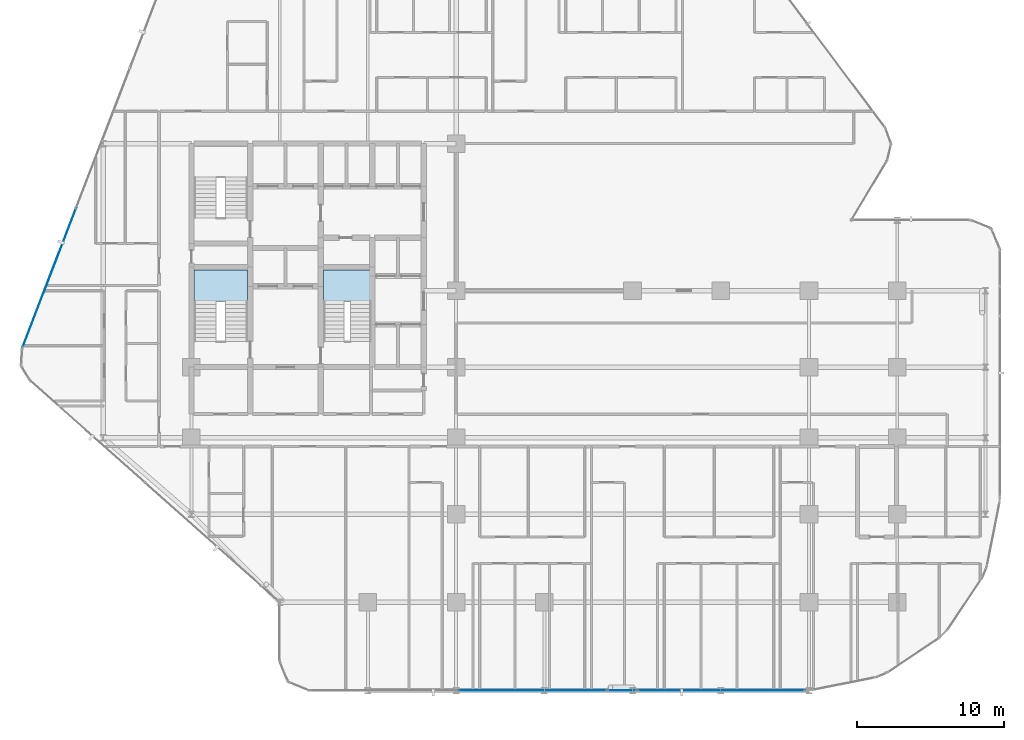
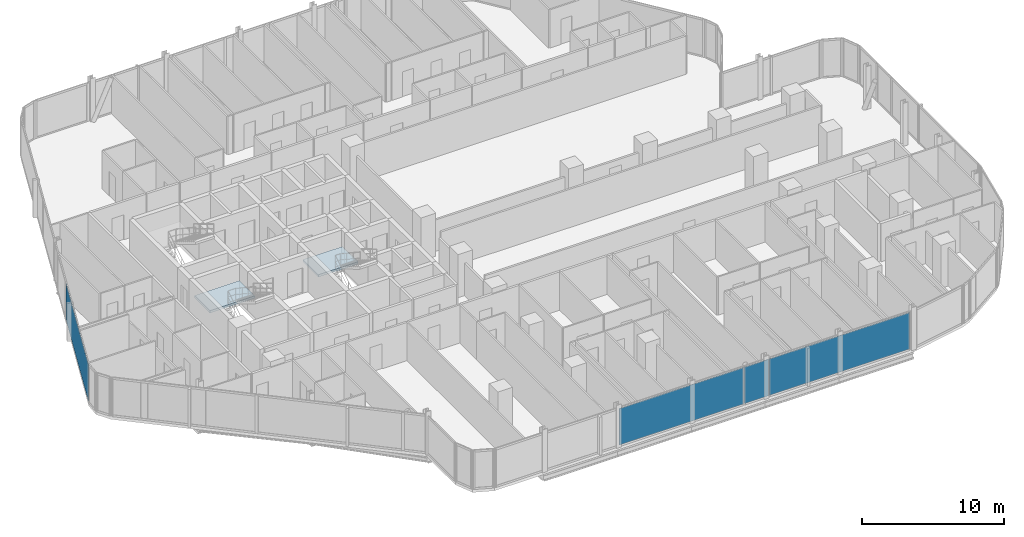
# One storey, part 21 of 34: 4 plates, 2 slabs, 6 elements without a shape of their own.
"""IFC4 building model written with IfcOpenShell, lengths in metres."""

import ifcopenshell
import ifcopenshell.guid

model = None  # the IFC model being written
_history = None  # IfcOwnerHistory: only IFC2X3 demands one
_inside = {}  # id of a spatial element -> (the spatial element, [elements in it])
_under = {}  # id of a project, library or spatial element -> (it, [spatial elements below it])
_declared = {}  # id of a project -> (the project, [libraries it declares])
_typed = {}  # id of a type object -> (the type object, [elements of that type])
_made_of = {}  # id of a material, layer set ... -> (it, [elements and type objects made of it])


def new_model(schema):
    """Start an empty IFC model of exactly this schema.

    Asked for "IFC4X3", IfcOpenShell would pick the latest addendum, in which some entities
    have other attributes; the version numbers below select the first issue.
    IFC2X3 requires an IfcOwnerHistory on every rooted entity: one is made here for all.
    """
    global model, _history
    if schema == "IFC4X3":
        model = ifcopenshell.file(schema_version=(4, 3, 0, 0))
    else:
        model = ifcopenshell.file(schema=schema)
    _inside.clear()
    _under.clear()
    _declared.clear()
    _typed.clear()
    _made_of.clear()
    _history = None
    if model.schema == "IFC2X3":
        org = make("IfcOrganization", Name="unknown")
        user = make(
            "IfcPersonAndOrganization",
            ThePerson=make("IfcPerson", FamilyName="unknown"),
            TheOrganization=org,
        )
        app = make(
            "IfcApplication",
            ApplicationDeveloper=org,
            Version="unknown",
            ApplicationFullName="unknown",
            ApplicationIdentifier="unknown",
        )
        _history = make(
            "IfcOwnerHistory",
            OwningUser=user,
            OwningApplication=app,
            ChangeAction="ADDED",
            CreationDate=0,
        )
    return model


def make(cls, **values):
    """One entity of the class cls with the attributes given. An attribute that is None is left unset."""
    return model.create_entity(
        cls, **{name: value for name, value in values.items() if value is not None}
    )


def rooted(cls, **values):
    """An entity with a GlobalId (a new one), such as an element, a storey or a relation."""
    return make(cls, GlobalId=ifcopenshell.guid.new(), OwnerHistory=_history, **values)


def si_unit(unit_type, name, prefix=None):
    """IfcSIUnit, for example si_unit("LENGTHUNIT", "METRE", prefix="MILLI")."""
    return make("IfcSIUnit", UnitType=unit_type, Prefix=prefix, Name=name)


def assignment(units):
    """IfcUnitAssignment: the units of a project."""
    return None if units is None else make("IfcUnitAssignment", Units=units)


def point(xyz):
    """IfcCartesianPoint."""
    return None if xyz is None else make("IfcCartesianPoint", Coordinates=xyz)


def direction(xyz):
    """IfcDirection."""
    return None if xyz is None else make("IfcDirection", DirectionRatios=xyz)


def frame(location, z_axis=None, x_axis=None):
    """IfcAxis2Placement3D, a coordinate frame: its origin and axes. An axis left out is left unset."""
    return make(
        "IfcAxis2Placement3D",
        Location=point(location),
        Axis=direction(z_axis),
        RefDirection=direction(x_axis),
    )


def frame_2d(location, x_axis=None):
    """IfcAxis2Placement2D, a coordinate frame in the plane: its origin and x axis."""
    return make(
        "IfcAxis2Placement2D", Location=point(location), RefDirection=direction(x_axis)
    )


def origin():
    """The frame at (0, 0, 0) with its axes left unset."""
    return frame((0.0, 0.0, 0.0))


def origin_2d():
    """The frame at (0, 0) in the plane with its x axis left unset."""
    return frame_2d((0.0, 0.0))


def place(relative_to, where):
    """IfcLocalPlacement: puts the frame where relative to a parent placement (None: the world)."""
    return make(
        "IfcLocalPlacement", PlacementRelTo=relative_to, RelativePlacement=where
    )


def context(
    kind, dimensions, precision=None, world=None, true_north=None, identifier=None
):
    """IfcGeometricRepresentationContext, for example the 3D "Model" context."""
    return make(
        "IfcGeometricRepresentationContext",
        ContextIdentifier=identifier,
        ContextType=kind,
        CoordinateSpaceDimension=dimensions,
        Precision=precision,
        WorldCoordinateSystem=world,
        TrueNorth=true_north,
    )


def subcontext(parent, identifier, kind, view, scale=None):
    """IfcGeometricRepresentationSubContext, for example "Body" below "Model"."""
    return make(
        "IfcGeometricRepresentationSubContext",
        ContextIdentifier=identifier,
        ContextType=kind,
        ParentContext=parent,
        TargetScale=scale,
        TargetView=view,
    )


def project(units=None, contexts=None):
    """IfcProject with its units and contexts."""
    return rooted(
        "IfcProject",
        Name="project",
        RepresentationContexts=contexts,
        UnitsInContext=assignment(units),
    )


def spatial(cls, under=None, at=None, **own):
    """A site, building, storey or space (cls), placed at a placement, below another one or the project."""
    s = rooted(cls, ObjectPlacement=at, **own)
    if under is not None:
        _under.setdefault(under.id(), (under, []))[1].append(s)
    return s


def polyline(points):
    """IfcPolyline through the points."""
    return make("IfcPolyline", Points=[point(p) for p in points])


def profile(cls, at=None, kind="AREA", **sizes):
    """A parametric profile (cls). Its sizes go by their IFC names, for example OverallWidth=200.0."""
    return make(cls, ProfileType=kind, Position=at, **sizes)


def rectangle(**sizes):
    """IfcRectangleProfileDef."""
    return profile("IfcRectangleProfileDef", **sizes)


def outline(outer, holes=None, kind="AREA"):
    """IfcArbitraryClosedProfileDef: a profile drawn as a closed curve; with holes, ...WithVoids."""
    if holes is None:
        return make("IfcArbitraryClosedProfileDef", ProfileType=kind, OuterCurve=outer)
    return make(
        "IfcArbitraryProfileDefWithVoids",
        ProfileType=kind,
        OuterCurve=outer,
        InnerCurves=holes,
    )


def extrude(swept, where, along, depth):
    """IfcExtrudedAreaSolid: the profile swept, set in the frame where, extruded along a direction by depth."""
    return make(
        "IfcExtrudedAreaSolid",
        SweptArea=swept,
        Position=where,
        ExtrudedDirection=direction(along),
        Depth=depth,
    )


def shape(context_of_items, identifier, shape_type, items):
    """IfcShapeRepresentation: the items that make up one representation, for example the "Body"."""
    return make(
        "IfcShapeRepresentation",
        ContextOfItems=context_of_items,
        RepresentationIdentifier=identifier,
        RepresentationType=shape_type,
        Items=items,
    )


def material(Name=None, Category=None):
    """IfcMaterial."""
    return make("IfcMaterial", Name=Name, Category=Category)


def layer(
    of_material, thickness, ventilated=None, Name=None, Category=None, Priority=None
):
    """IfcMaterialLayer: one layer of a wall or slab, of a material (None: an air gap)."""
    return make(
        "IfcMaterialLayer",
        Material=of_material,
        LayerThickness=thickness,
        IsVentilated=ventilated,
        Name=Name,
        Category=Category,
        Priority=Priority,
    )


def layer_set(layers, Name=None):
    """IfcMaterialLayerSet."""
    return make("IfcMaterialLayerSet", MaterialLayers=layers, LayerSetName=Name)


def made_of(thing, what):
    """Note that an element or type object is made of a material, layer set ...; save() writes the relation."""
    if what is not None:
        _made_of.setdefault(what.id(), (what, []))[1].append(thing)
    return thing


def type_object(cls, material=None, **own):
    """A type object (cls), such as IfcWallType, which elements share."""
    return made_of(rooted(cls, **own), material)


def element(
    cls,
    number,
    at=None,
    inside=None,
    cuts=None,
    type_object=None,
    material=None,
    context=None,
    identifier="Body",
    shape_type=None,
    held_by="IfcProductDefinitionShape",
    body=None,
    shapes=None,
    **own,
):
    """One element of the class cls, such as IfcWall. Its Tag is "e" and its number.

    at: its placement. inside: the storey or other place that contains it. cuts: it is an
    opening in that element (IfcRelVoidsElement). A single representation is given by context,
    identifier, shape_type and body (its items); several are given by shapes. held_by: the class
    of the entity that holds the representations. save() writes the other relations.
    """
    e = rooted(cls, Tag="e%d" % number, ObjectPlacement=at, **own)
    if body is not None:
        shapes = [shape(context, identifier, shape_type, body)]
    if shapes is not None:
        e.Representation = make(held_by, Representations=shapes)
    if inside is not None:
        _inside.setdefault(inside.id(), (inside, []))[1].append(e)
    if cuts is not None:
        rooted(
            "IfcRelVoidsElement", RelatingBuildingElement=cuts, RelatedOpeningElement=e
        )
    if type_object is not None:
        _typed.setdefault(type_object.id(), (type_object, []))[1].append(e)
    return made_of(e, material)


def aggregate(whole, parts):
    """IfcRelAggregates: a whole, such as a stair, and the parts it consists of."""
    return rooted("IfcRelAggregates", RelatingObject=whole, RelatedObjects=parts)


def save(model, path):
    """Write the relations noted so far, then the file.

    IfcRelAggregates (storeys below a building ...), IfcRelContainedInSpatialStructure (elements
    in a storey), IfcRelDefinesByType, IfcRelAssociatesMaterial and IfcRelDeclares: one each for
    every whole, place, type object, material and project.
    """
    for whole, parts in _under.values():
        aggregate(whole, parts)
    for where, things in _inside.values():
        rooted(
            "IfcRelContainedInSpatialStructure",
            RelatedElements=things,
            RelatingStructure=where,
        )
    for kind, things in _typed.values():
        rooted("IfcRelDefinesByType", RelatedObjects=things, RelatingType=kind)
    for what, things in _made_of.values():
        rooted("IfcRelAssociatesMaterial", RelatedObjects=things, RelatingMaterial=what)
    for by, libraries in _declared.values():
        rooted("IfcRelDeclares", RelatingContext=by, RelatedDefinitions=libraries)
    model.write(path)


model = new_model("IFC4")

# Units and contexts
model_context = context("Model", 3, precision=1e-05, world=origin(), true_north=direction((0.0, 1.0)))
body_context = subcontext(model_context, "Body", "Model", "MODEL_VIEW")
ifc_project = project(units=[si_unit("LENGTHUNIT", "METRE"), si_unit("AREAUNIT", "SQUARE_METRE"), si_unit("VOLUMEUNIT", "CUBIC_METRE"), si_unit("PLANEANGLEUNIT", "RADIAN"), si_unit("MASSUNIT", "GRAM", prefix="KILO")], contexts=[model_context])

# Site, building, storey
site_placement = place(None, origin())
site = spatial("IfcSite", under=ifc_project, at=site_placement, CompositionType="ELEMENT")
building_placement = place(site_placement, origin())
building = spatial("IfcBuilding", under=site, at=building_placement, Name="Keshet Zoharim Tower", CompositionType="ELEMENT")
storey_placement = place(building_placement, frame((0.0, 0.0, 77.5)))
storey = spatial("IfcBuildingStorey", under=building, at=storey_placement, Name="L18", CompositionType="ELEMENT", Elevation=77.5)

# Curtain wall, plate
ifc_material_1 = material(Name="Aluminium 6063-T6", Category="aluminium")
ifc_layer_1 = layer(ifc_material_1, 0.179931640625)
ifc_layer_set_1 = layer_set([ifc_layer_1], Name="Aluminium 6063-T6")
curtain_wall_type = type_object("IfcCurtainWallType", Name="CW-SYS-01", PredefinedType="NOTDEFINED", material=ifc_layer_set_1)
curtain_wall_1_placement = place(storey_placement, origin())
curtain_wall_1 = element("IfcCurtainWall", 1, at=curtain_wall_1_placement, inside=storey, type_object=curtain_wall_type, Name="L18 Unitised Curtain Wall 04", PredefinedType="NOTDEFINED")
ifc_material_2 = material(Name="Insulated Low-E Clear Glass", Category="glass")
ifc_layer_2 = layer(ifc_material_2, 0.035888671875)
ifc_layer_set_2 = layer_set([ifc_layer_2], Name="Insulated Low-E Clear Glass")
plate_type_1 = type_object("IfcPlateType", Name="CWP-01", PredefinedType="CURTAIN_PANEL", material=ifc_layer_set_2)
plate_1_placement = place(storey_placement, frame((5.33837890625, 28.7802734375, 0.06982421875), z_axis=(0.0, 0.0, 1.0), x_axis=(0.358990003907, 0.933341404361, 0.0)))
plate_1 = element("IfcPlate", 2, at=plate_1_placement, type_object=plate_type_1, Name="CW-01 panel 1.1", PredefinedType="CURTAIN_PANEL", context=body_context, shape_type="SweptSolid", body=[
    extrude(rectangle(XDim=10.1181640625, YDim=0.035888671875, at=origin_2d()), origin(), (0.0, 0.0, 1.0), 3.139892578125),
])
aggregate(curtain_wall_1, [plate_1])

curtain_wall_2_placement = place(storey_placement, origin())
curtain_wall_2 = element("IfcCurtainWall", 3, at=curtain_wall_2_placement, inside=storey, type_object=curtain_wall_type, Name="L18 Unitised Curtain Wall 26", PredefinedType="NOTDEFINED")
plate_2_placement = place(storey_placement, frame((51.032470703125, 0.699951171875, 0.06982421875), z_axis=(0.0, 0.0, 1.0), x_axis=(-1.0, 0.0, 0.0)))
plate_2 = element("IfcPlate", 4, at=plate_2_placement, type_object=plate_type_1, Name="CW-01 panel 1.1", PredefinedType="CURTAIN_PANEL", context=body_context, shape_type="SweptSolid", body=[
    extrude(rectangle(XDim=11.4013671875, YDim=0.035888671875, at=origin_2d()), origin(), (0.0, 0.0, 1.0), 3.139892578125),
])
aggregate(curtain_wall_2, [plate_2])

curtain_wall_3_placement = place(storey_placement, origin())
curtain_wall_3 = element("IfcCurtainWall", 5, at=curtain_wall_3_placement, inside=storey, type_object=curtain_wall_type, Name="L18 Unitised Curtain Wall 26 Part 3", PredefinedType="NOTDEFINED")
plate_3_placement = place(storey_placement, frame((38.1962890625, 0.699951171875, 0.06982421875), z_axis=(0.0, 0.0, 1.0), x_axis=(-1.0, 0.0, 0.0)))
plate_3 = element("IfcPlate", 6, at=plate_3_placement, type_object=plate_type_1, Name="CW-01 panel 1.1", PredefinedType="CURTAIN_PANEL", context=body_context, shape_type="SweptSolid", body=[
    extrude(rectangle(XDim=10.084228515625, YDim=0.035888671875, at=origin_2d()), origin(), (0.0, 0.0, 1.0), 3.139892578125),
])
aggregate(curtain_wall_3, [plate_3])

curtain_wall_4_placement = place(storey_placement, origin())
curtain_wall_4 = element("IfcCurtainWall", 7, at=curtain_wall_4_placement, inside=storey, type_object=curtain_wall_type, Name="L18 Unitised Curtain Wall 26 Part 2", PredefinedType="NOTDEFINED")
ifc_material_3 = material(Name="Insulated Aluminium Spandrel Panel", Category="aluminium")
ifc_layer_3 = layer(ifc_material_3, 0.035888671875)
ifc_layer_set_3 = layer_set([ifc_layer_3], Name="Insulated Aluminium Spandrel Panel")
plate_type_2 = type_object("IfcPlateType", Name="CWP-04", PredefinedType="CURTAIN_PANEL", material=ifc_layer_set_3)
plate_4_placement = place(storey_placement, frame((44.284912109375, 0.699951171875, 0.06982421875), z_axis=(0.0, 0.0, 1.0), x_axis=(-1.0, 0.0, 0.0)))
plate_4 = element("IfcPlate", 8, at=plate_4_placement, type_object=plate_type_2, Name="CW-01 spandrel panel 1.1", PredefinedType="CURTAIN_PANEL", context=body_context, shape_type="SweptSolid", body=[
    extrude(rectangle(XDim=1.953369140625, YDim=0.035888671875, at=origin_2d()), origin(), (0.0, 0.0, 1.0), 3.139892578125),
])
aggregate(curtain_wall_4, [plate_4])

# Stair, slab
ifc_material_4 = material(Name="Concrete C50/60", Category="concrete")
stair_type = type_object("IfcStairType", Name="STR-EXIT-135", PredefinedType="HALF_TURN_STAIR", material=ifc_material_4)
stair_1_placement = place(storey_placement, origin())
stair_1 = element("IfcStair", 9, at=stair_1_placement, inside=storey, type_object=stair_type, Name="L18 Enclosed Exit Stair ST-01", PredefinedType="HALF_TURN_STAIR")
ifc_layer_4 = layer(ifc_material_4, 0.199951171875)
ifc_layer_set_4 = layer_set([ifc_layer_4], Name="Concrete C50/60")
slab_type = type_object("IfcSlabType", Name="SLB-LND-200", PredefinedType="LANDING", material=ifc_layer_set_4)
slab_1_placement = place(storey_placement, frame((0.0, 0.0, 1.64990234375)))
slab_1 = element("IfcSlab", 10, at=slab_1_placement, type_object=slab_type, Name="ST-01 landing 1", PredefinedType="LANDING", context=body_context, shape_type="SweptSolid", body=[
    extrude(outline(polyline([(15.179931640625, 27.159912109375), (18.820068359375, 27.159912109375), (18.820068359375, 29.320068359375), (15.179931640625, 29.320068359375), (15.179931640625, 27.159912109375)])), origin(), (0.0, 0.0, 1.0), 0.2001953125),
])
aggregate(stair_1, [slab_1])

stair_2_placement = place(storey_placement, origin())
stair_2 = element("IfcStair", 11, at=stair_2_placement, inside=storey, type_object=stair_type, Name="L18 Enclosed Exit Stair ST-03", PredefinedType="HALF_TURN_STAIR")
slab_2_placement = place(storey_placement, frame((0.0, 0.0, 1.64990234375)))
slab_2 = element("IfcSlab", 12, at=slab_2_placement, type_object=slab_type, Name="ST-03 landing 1", PredefinedType="LANDING", context=body_context, shape_type="SweptSolid", body=[
    extrude(outline(polyline([(23.97998046875, 27.159912109375), (27.219970703125, 27.159912109375), (27.219970703125, 29.320068359375), (23.97998046875, 29.320068359375), (23.97998046875, 27.159912109375)])), origin(), (0.0, 0.0, 1.0), 0.2001953125),
])
aggregate(stair_2, [slab_2])

save(model, "model.ifc")
